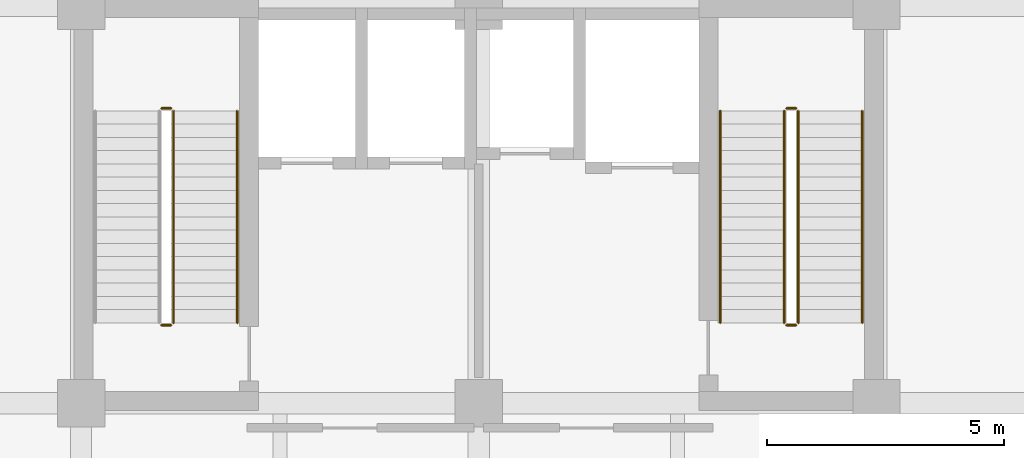
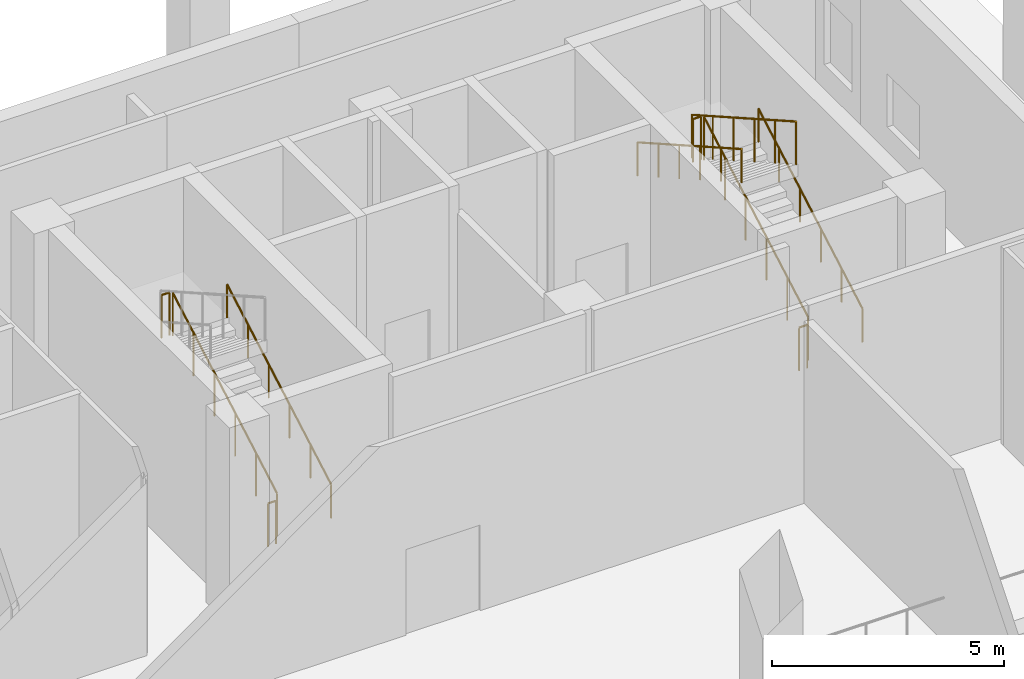
# One storey, part 33 of 34: 10 railings.
"""IFC4 building model written with IfcOpenShell, lengths in metres."""

from ifc_helpers import new_model, si_unit, direction, frame, origin, origin_2d, place, context, subcontext, project, spatial, circle, extrude, material, type_object, element, save


model = new_model("IFC4")

# Units and contexts
model_context = context("Model", 3, precision=1e-05, world=origin(), true_north=direction((0.0, 1.0)))
body_context = subcontext(model_context, "Body", "Model", "MODEL_VIEW")
ifc_project = project(units=[si_unit("LENGTHUNIT", "METRE"), si_unit("AREAUNIT", "SQUARE_METRE"), si_unit("VOLUMEUNIT", "CUBIC_METRE"), si_unit("PLANEANGLEUNIT", "RADIAN"), si_unit("MASSUNIT", "GRAM", prefix="KILO")], contexts=[model_context])

# Site, building, storey
site_placement = place(None, origin())
site = spatial("IfcSite", under=ifc_project, at=site_placement, CompositionType="ELEMENT")
building_placement = place(site_placement, origin())
building = spatial("IfcBuilding", under=site, at=building_placement, Name="Brinegate Botanical Conservatory", CompositionType="ELEMENT")
storey_placement = place(building_placement, origin())
storey = spatial("IfcBuildingStorey", under=building, at=storey_placement, Name="L01", CompositionType="ELEMENT", Elevation=0.0)

# Railings
ifc_material_1 = material(Name="Structural steel Q355B / S355 painted tubular guardrail", Category="steel")
railing_type_1 = type_object("IfcRailingType", Name="Rail_ST-GRD", PredefinedType="GUARDRAIL", material=ifc_material_1)
railing_1_placement = place(storey_placement, frame((140.75, 96.89990234375, 0.158935546875)))
element("IfcRailing", 1, at=railing_1_placement, inside=storey, type_object=railing_type_1, Name="L01 ST1 stair guard 1", PredefinedType="GUARDRAIL", context=body_context, shape_type="SweptSolid", body=[
    extrude(circle(Radius=0.02392578125, at=origin_2d()), frame((0.0, 0.0, 1.1259765625), z_axis=(0.0, 0.869825572089, 0.493359376256), x_axis=(-1.0, 0.0, 0.0)), (0.0, 0.0, 1.0), 5.150390625),
    extrude(circle(Radius=0.02099609375, at=origin_2d()), origin(), (0.0, 0.0, 1.0), 1.101806640625),
    extrude(circle(Radius=0.02099609375, at=origin_2d()), frame((0.0, 0.89599609375, 0.50830078125)), (0.0, 0.0, 1.0), 1.101806640625),
    extrude(circle(Radius=0.02099609375, at=origin_2d()), frame((0.0, 1.7919921875, 1.016357421875)), (0.0, 0.0, 1.0), 1.101806640625),
    extrude(circle(Radius=0.02099609375, at=origin_2d()), frame((0.0, 2.68798828125, 1.524658203125)), (0.0, 0.0, 1.0), 1.101806640625),
    extrude(circle(Radius=0.02099609375, at=origin_2d()), frame((0.0, 3.583984375, 2.03271484375)), (0.0, 0.0, 1.0), 1.101806640625),
    extrude(circle(Radius=0.02099609375, at=origin_2d()), frame((0.0, 4.47998046875, 2.541015625)), (0.0, 0.0, 1.0), 1.101806640625),
])
for number, where, name in (
    (2, (140.699951171875, 101.429931640625, 2.699951171875), "L01 ST1 stair guard 2"),
    (3, (140.699951171875, 96.85009765625, 0.0), "L01 ST1 stair guard 4"),
):
    element("IfcRailing", number, at=place(storey_placement, frame(where)), inside=storey, type_object=railing_type_1, Name=name, PredefinedType="GUARDRAIL", context=body_context, shape_type="SweptSolid", body=[
        extrude(circle(Radius=0.02392578125, at=origin_2d()), frame((0.0, 0.0, 1.1259765625), z_axis=(-1.0, 0.0, 0.0), x_axis=(0.0, -1.0, 0.0)), (0.0, 0.0, 1.0), 0.199951171875),
        extrude(circle(Radius=0.02099609375, at=origin_2d()), origin(), (0.0, 0.0, 1.0), 1.101806640625),
        extrude(circle(Radius=0.02099609375, at=origin_2d()), frame((-0.199951171875, 0.0, 0.0)), (0.0, 0.0, 1.0), 1.101806640625),
    ])
railing_2_placement = place(storey_placement, frame((153.949951171875, 96.89990234375, 0.158935546875)))
element("IfcRailing", 4, at=railing_2_placement, inside=storey, type_object=railing_type_1, Name="L01 ST2 stair guard 1", PredefinedType="GUARDRAIL", context=body_context, shape_type="SweptSolid", body=[
    extrude(circle(Radius=0.02392578125, at=origin_2d()), frame((0.0, 0.0, 1.1259765625), z_axis=(0.0, 0.869825572089, 0.493359376256), x_axis=(-1.0, 0.0, 0.0)), (0.0, 0.0, 1.0), 5.150390625),
    extrude(circle(Radius=0.02099609375, at=origin_2d()), origin(), (0.0, 0.0, 1.0), 1.101806640625),
    extrude(circle(Radius=0.02099609375, at=origin_2d()), frame((0.0, 0.89599609375, 0.50830078125)), (0.0, 0.0, 1.0), 1.101806640625),
    extrude(circle(Radius=0.02099609375, at=origin_2d()), frame((0.0, 1.7919921875, 1.016357421875)), (0.0, 0.0, 1.0), 1.101806640625),
    extrude(circle(Radius=0.02099609375, at=origin_2d()), frame((0.0, 2.68798828125, 1.524658203125)), (0.0, 0.0, 1.0), 1.101806640625),
    extrude(circle(Radius=0.02099609375, at=origin_2d()), frame((0.0, 3.583984375, 2.03271484375)), (0.0, 0.0, 1.0), 1.101806640625),
    extrude(circle(Radius=0.02099609375, at=origin_2d()), frame((0.0, 4.47998046875, 2.541015625)), (0.0, 0.0, 1.0), 1.101806640625),
])
railing_3_placement = place(storey_placement, frame((153.89990234375, 101.429931640625, 2.699951171875)))
element("IfcRailing", 5, at=railing_3_placement, inside=storey, type_object=railing_type_1, Name="L01 ST2 stair guard 2", PredefinedType="GUARDRAIL", context=body_context, shape_type="SweptSolid", body=[
    extrude(circle(Radius=0.02392578125, at=origin_2d()), frame((0.0, 0.0, 1.1259765625), z_axis=(-1.0, 0.0, 0.0), x_axis=(0.0, -1.0, 0.0)), (0.0, 0.0, 1.0), 0.199951171875),
    extrude(circle(Radius=0.02099609375, at=origin_2d()), origin(), (0.0, 0.0, 1.0), 1.101806640625),
    extrude(circle(Radius=0.02099609375, at=origin_2d()), frame((-0.199951171875, 0.0, 0.0)), (0.0, 0.0, 1.0), 1.101806640625),
])
railing_4_placement = place(storey_placement, frame((153.64990234375, 101.3798828125, 2.85888671875)))
element("IfcRailing", 6, at=railing_4_placement, inside=storey, type_object=railing_type_1, Name="L01 ST2 stair guard 3", PredefinedType="GUARDRAIL", context=body_context, shape_type="SweptSolid", body=[
    extrude(circle(Radius=0.02392578125, at=origin_2d()), frame((0.0, 0.0, 1.1259765625), z_axis=(0.0, -0.869825572089, 0.493359376256), x_axis=(1.0, 0.0, 0.0)), (0.0, 0.0, 1.0), 5.150390625),
    extrude(circle(Radius=0.02099609375, at=origin_2d()), origin(), (0.0, 0.0, 1.0), 1.101806640625),
    extrude(circle(Radius=0.02099609375, at=origin_2d()), frame((0.0, -0.89599609375, 0.50830078125)), (0.0, 0.0, 1.0), 1.101806640625),
    extrude(circle(Radius=0.02099609375, at=origin_2d()), frame((0.0, -1.7919921875, 1.016357421875)), (0.0, 0.0, 1.0), 1.101806640625),
    extrude(circle(Radius=0.02099609375, at=origin_2d()), frame((0.0, -2.68798828125, 1.524658203125)), (0.0, 0.0, 1.0), 1.101806640625),
    extrude(circle(Radius=0.02099609375, at=origin_2d()), frame((0.0, -3.583984375, 2.03271484375)), (0.0, 0.0, 1.0), 1.101806640625),
    extrude(circle(Radius=0.02099609375, at=origin_2d()), frame((0.0, -4.47998046875, 2.541015625)), (0.0, 0.0, 1.0), 1.101806640625),
])
railing_5_placement = place(storey_placement, frame((153.89990234375, 96.85009765625, 0.0)))
element("IfcRailing", 7, at=railing_5_placement, inside=storey, type_object=railing_type_1, Name="L01 ST2 stair guard 4", PredefinedType="GUARDRAIL", context=body_context, shape_type="SweptSolid", body=[
    extrude(circle(Radius=0.02392578125, at=origin_2d()), frame((0.0, 0.0, 1.1259765625), z_axis=(-1.0, 0.0, 0.0), x_axis=(0.0, -1.0, 0.0)), (0.0, 0.0, 1.0), 0.199951171875),
    extrude(circle(Radius=0.02099609375, at=origin_2d()), origin(), (0.0, 0.0, 1.0), 1.101806640625),
    extrude(circle(Radius=0.02099609375, at=origin_2d()), frame((-0.199951171875, 0.0, 0.0)), (0.0, 0.0, 1.0), 1.101806640625),
])
ifc_material_2 = material(Name="Brushed stainless steel S355 handrail", Category="steel")
railing_type_2 = type_object("IfcRailingType", Name="Rail_ST-HND", PredefinedType="HANDRAIL", material=ifc_material_2)
for number, where, name in (
    (8, (142.10009765625, 96.89990234375, 0.158935546875), "L01 ST1 stair handrail 1"),
    (9, (155.300048828125, 96.89990234375, 0.158935546875), "L01 ST2 stair handrail 1"),
):
    element("IfcRailing", number, at=place(storey_placement, frame(where)), inside=storey, type_object=railing_type_2, Name=name, PredefinedType="HANDRAIL", context=body_context, shape_type="SweptSolid", body=[
        extrude(circle(Radius=0.02392578125, at=origin_2d()), frame((0.0, 0.0, 0.8759765625), z_axis=(0.0, 0.869825572089, 0.493359376256), x_axis=(-1.0, 0.0, 0.0)), (0.0, 0.0, 1.0), 5.150390625),
        extrude(circle(Radius=0.02099609375, at=origin_2d()), origin(), (0.0, 0.0, 1.0), 0.851806640625),
        extrude(circle(Radius=0.02099609375, at=origin_2d()), frame((0.0, 0.89599609375, 0.50830078125)), (0.0, 0.0, 1.0), 0.851806640625),
        extrude(circle(Radius=0.02099609375, at=origin_2d()), frame((0.0, 1.7919921875, 1.016357421875)), (0.0, 0.0, 1.0), 0.851806640625),
        extrude(circle(Radius=0.02099609375, at=origin_2d()), frame((0.0, 2.68798828125, 1.524658203125)), (0.0, 0.0, 1.0), 0.851806640625),
        extrude(circle(Radius=0.02099609375, at=origin_2d()), frame((0.0, 3.583984375, 2.03271484375)), (0.0, 0.0, 1.0), 0.851806640625),
        extrude(circle(Radius=0.02099609375, at=origin_2d()), frame((0.0, 4.47998046875, 2.541015625)), (0.0, 0.0, 1.0), 0.851806640625),
    ])
railing_6_placement = place(storey_placement, frame((152.300048828125, 101.3798828125, 2.85888671875)))
element("IfcRailing", 10, at=railing_6_placement, inside=storey, type_object=railing_type_2, Name="L01 ST2 stair handrail 2", PredefinedType="HANDRAIL", context=body_context, shape_type="SweptSolid", body=[
    extrude(circle(Radius=0.02392578125, at=origin_2d()), frame((0.0, 0.0, 0.8759765625), z_axis=(0.0, -0.869825572089, 0.493359376256), x_axis=(1.0, 0.0, 0.0)), (0.0, 0.0, 1.0), 5.150390625),
    extrude(circle(Radius=0.02099609375, at=origin_2d()), origin(), (0.0, 0.0, 1.0), 0.851806640625),
    extrude(circle(Radius=0.02099609375, at=origin_2d()), frame((0.0, -0.89599609375, 0.50830078125)), (0.0, 0.0, 1.0), 0.851806640625),
    extrude(circle(Radius=0.02099609375, at=origin_2d()), frame((0.0, -1.7919921875, 1.016357421875)), (0.0, 0.0, 1.0), 0.851806640625),
    extrude(circle(Radius=0.02099609375, at=origin_2d()), frame((0.0, -2.68798828125, 1.524658203125)), (0.0, 0.0, 1.0), 0.851806640625),
    extrude(circle(Radius=0.02099609375, at=origin_2d()), frame((0.0, -3.583984375, 2.03271484375)), (0.0, 0.0, 1.0), 0.851806640625),
    extrude(circle(Radius=0.02099609375, at=origin_2d()), frame((0.0, -4.47998046875, 2.541015625)), (0.0, 0.0, 1.0), 0.851806640625),
])

save(model, "model.ifc")
